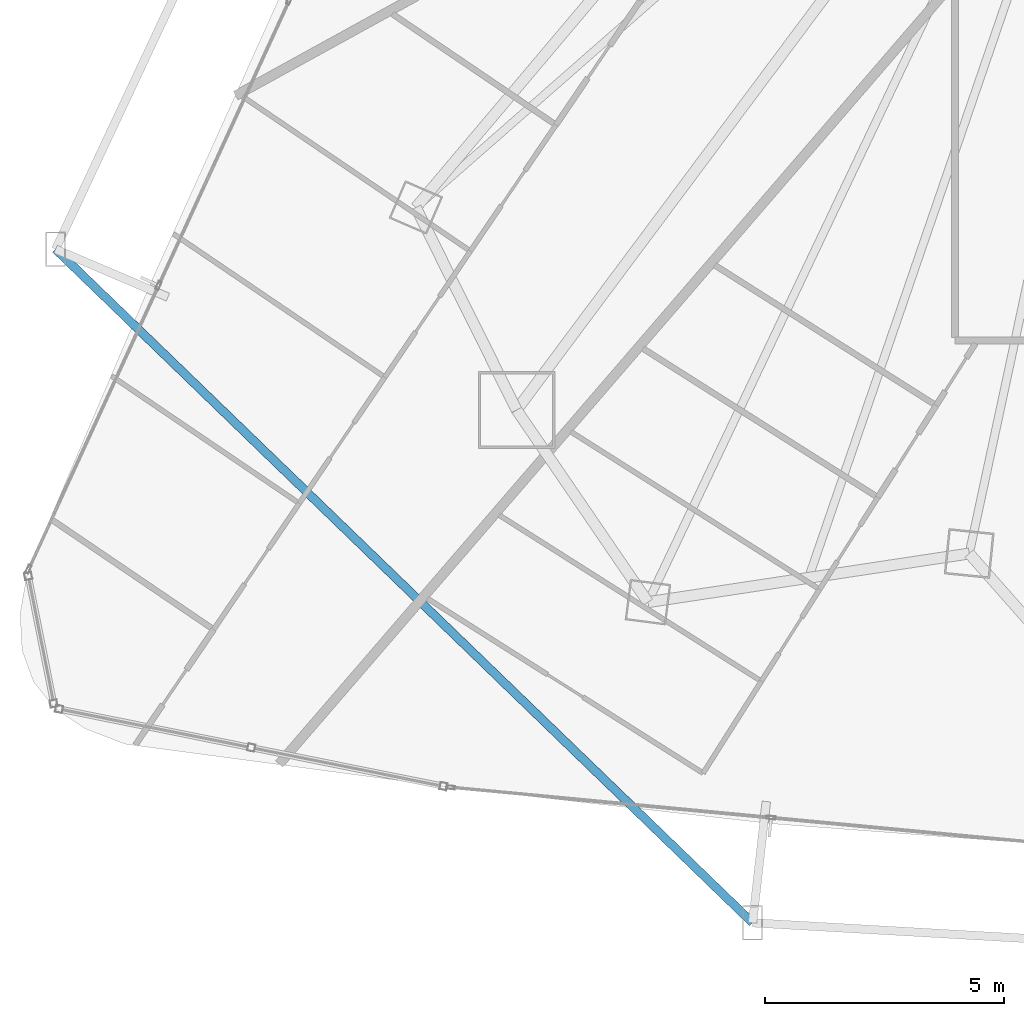
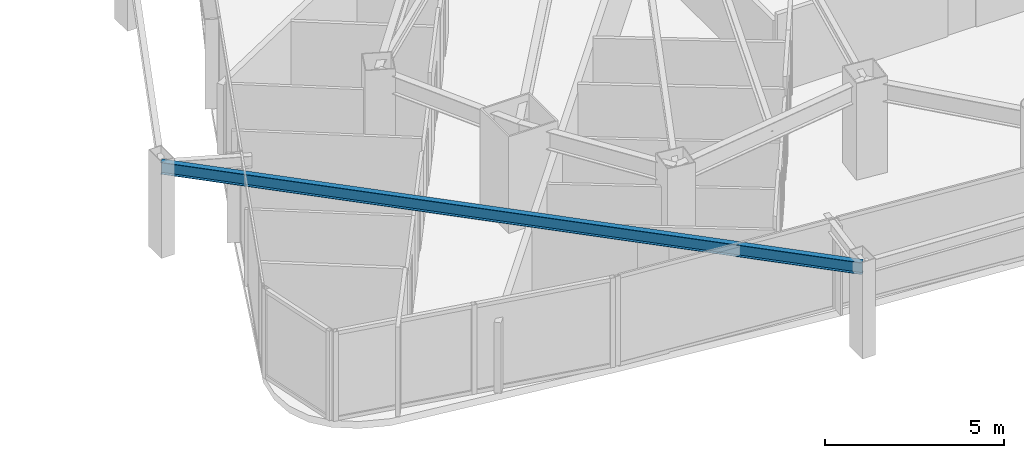
# One storey, part 3 of 35: 1 beam.
"""IFC4 building model written with IfcOpenShell, lengths in metres."""

from ifc_helpers import new_model, si_unit, direction, frame, origin, origin_2d, place, context, subcontext, project, spatial, i_section, extrude, material, material_profile, profile_set, type_object, element, save


model = new_model("IFC4")

# Units and contexts
model_context = context("Model", 3, precision=1e-05, world=origin(), true_north=direction((0.0, 1.0)))
body_context = subcontext(model_context, "Body", "Model", "MODEL_VIEW")
ifc_project = project(units=[si_unit("LENGTHUNIT", "METRE"), si_unit("AREAUNIT", "SQUARE_METRE"), si_unit("VOLUMEUNIT", "CUBIC_METRE"), si_unit("PLANEANGLEUNIT", "RADIAN"), si_unit("MASSUNIT", "GRAM", prefix="KILO")], contexts=[model_context])

# Site, building, storey
site_placement = place(None, origin())
site = spatial("IfcSite", under=ifc_project, at=site_placement, CompositionType="ELEMENT")
building_placement = place(site_placement, origin())
building = spatial("IfcBuilding", under=site, at=building_placement, Name="Orvanel Arch Residences", CompositionType="ELEMENT")
storey_placement = place(building_placement, frame((0.0, 0.0, 26.89990234375)))
storey = spatial("IfcBuildingStorey", under=building, at=storey_placement, Name="L06", CompositionType="ELEMENT", Elevation=26.89990234375)

# Beam
ifc_material = material(Name="Structural steel AS/NZS 3679.1 Grade 300 (300 MPa)", Category="steel")
ifc_material_profile = material_profile(ifc_material, i_section(OverallWidth=0.177978515625, OverallDepth=0.406005859375, WebThickness=0.0078125, FlangeThickness=0.0126953125, at=origin_2d()), Name="410UB59.7")
ifc_profile_set = profile_set([ifc_material_profile], Name="Structural steel AS/NZS 3679.1 Grade 300 (300 MPa)")
beam_type = type_object("IfcBeamType", Name="OB-410UB-EXT", PredefinedType="SPANDREL", material=ifc_profile_set)
beam_placement = place(storey_placement, frame((4.572998046875, 13.7080078125, 2.857177734375), z_axis=(0.719061717899, -0.694946217956, 0.0), x_axis=(0.694946217956, 0.719061717899, 0.0)))
element("IfcBeam", 1, at=beam_placement, inside=storey, type_object=beam_type, Name="L06 Outer Perimeter Floor Ring Beam 04", PredefinedType="SPANDREL", context=body_context, shape_type="SweptSolid", body=[
    extrude(i_section(OverallWidth=0.177978515625, OverallDepth=0.406005859375, WebThickness=0.0078125, FlangeThickness=0.0126953125, at=origin_2d()), origin(), (0.0, 0.0, 1.0), 20.237548828125),
])

save(model, "model.ifc")
